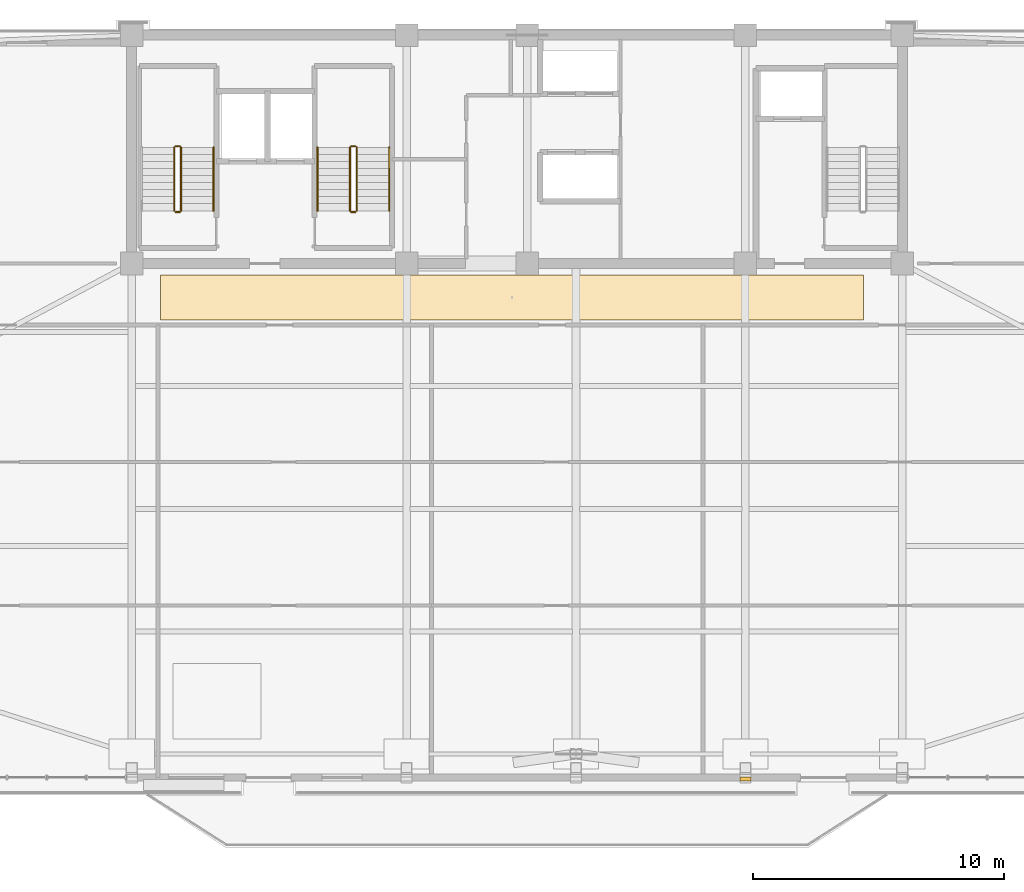
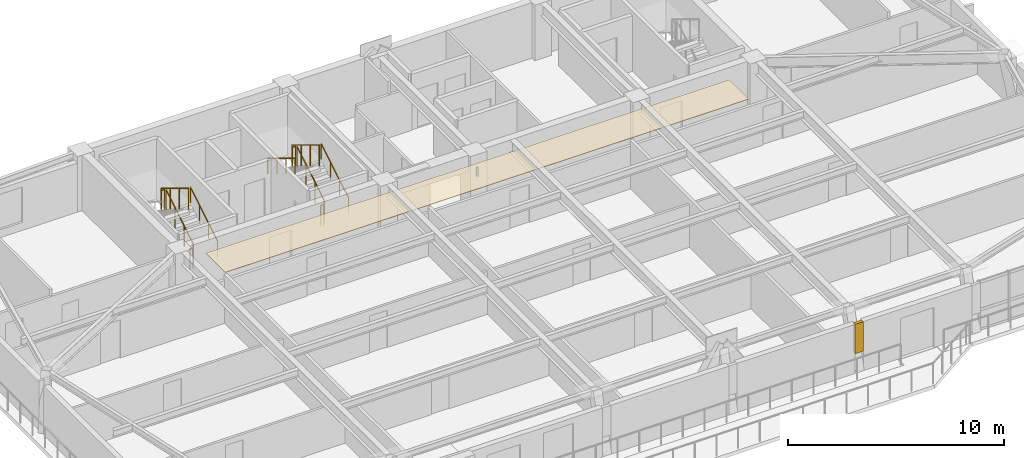
# One storey, part 13 of 15: 11 railings, 2 coverings.
"""IFC4 building model written with IfcOpenShell, lengths in metres."""

from ifc_helpers import new_model, si_unit, direction, frame, origin, origin_2d, place, context, subcontext, project, spatial, polyline, rectangle, outline, extrude, material, layer, layer_set, type_object, element, save


model = new_model("IFC4")

# Units and contexts
model_context = context("Model", 3, precision=1e-05, world=origin(), true_north=direction((0.0, 1.0)))
body_context = subcontext(model_context, "Body", "Model", "MODEL_VIEW")
ifc_project = project(units=[si_unit("LENGTHUNIT", "METRE"), si_unit("AREAUNIT", "SQUARE_METRE"), si_unit("VOLUMEUNIT", "CUBIC_METRE"), si_unit("PLANEANGLEUNIT", "RADIAN"), si_unit("MASSUNIT", "GRAM", prefix="KILO")], contexts=[model_context])

# Site, building, storey
site_placement = place(None, origin())
site = spatial("IfcSite", under=ifc_project, at=site_placement, CompositionType="ELEMENT")
building_placement = place(site_placement, origin())
building = spatial("IfcBuilding", under=site, at=building_placement, Name="Giltprow Tower", CompositionType="ELEMENT")
storey_placement = place(building_placement, frame((0.0, 0.0, 275.699951171875)))
storey = spatial("IfcBuildingStorey", under=building, at=storey_placement, Name="L71", CompositionType="ELEMENT", Elevation=275.699951171875)

# Coverings
ifc_material_1 = material(Name="Painted gypsum board", Category="gypsum")
ifc_layer_1 = layer(ifc_material_1, 0.030029296875, Name="Painted gypsum board")
ifc_layer_set_1 = layer_set([ifc_layer_1], Name="Painted gypsum board")
covering_type_1 = type_object("IfcCoveringType", Name="COV-CLG-GYPSUM", PredefinedType="CEILING", material=ifc_layer_set_1)
covering_1_placement = place(storey_placement, frame((0.0, 0.0, 2.6201171875)))
element("IfcCovering", 1, at=covering_1_placement, inside=storey, type_object=covering_type_1, Name="L71 Residence Gallery Ceiling", PredefinedType="CEILING", context=body_context, shape_type="SweptSolid", body=[
    extrude(outline(polyline([(21.0, 35.199951171875), (49.0, 35.199951171875), (49.0, 37.0), (21.0, 37.0), (21.0, 35.199951171875)])), origin(), (0.0, 0.0, 1.0), 0.030029296875),
])
ifc_material_2 = material(Name="Anodized bronze", Category="metal")
ifc_layer_2 = layer(ifc_material_2, 0.0400390625, Name="Anodized bronze")
ifc_layer_set_2 = layer_set([ifc_layer_2], Name="Anodized bronze")
covering_type_2 = type_object("IfcCoveringType", Name="COV-SOFFIT-BRONZE", PredefinedType="CLADDING", material=ifc_layer_set_2)
covering_2_placement = place(storey_placement, frame((0.0, 0.0, 1.10009765625)))
element("IfcCovering", 2, at=covering_2_placement, inside=storey, type_object=covering_type_2, Name="L71 Setback Pier Closure Cladding S-4", PredefinedType="CLADDING", context=body_context, shape_type="SweptSolid", body=[
    extrude(outline(polyline([(44.074951171875, 16.8359375), (44.52490234375, 16.8359375), (44.52490234375, 16.99609375), (44.074951171875, 16.99609375), (44.074951171875, 16.8359375)])), origin(), (0.0, 0.0, 1.0), 1.669921875),
])

# Railings
railing_type_1 = type_object("IfcRailingType", Name="RAIL-STAIR-GUARD-1200", PredefinedType="GUARDRAIL", material=ifc_material_2)
railing_1_placement = place(storey_placement, frame((21.81005859375, 39.550048828125, 0.170166015625)))
element("IfcRailing", 3, at=railing_1_placement, inside=storey, type_object=railing_type_1, Name="L71 ST-1 stair guard 1", PredefinedType="GUARDRAIL", context=body_context, shape_type="SweptSolid", body=[
    extrude(rectangle(XDim=0.048095703125, YDim=0.048095703125, at=origin_2d()), frame((0.0, 0.0, 1.17578125), z_axis=(0.0, 0.854821627497, 0.518921945155), x_axis=(-1.0, 0.0, 0.0)), (0.0, 0.0, 1.0), 2.947998046875),
    extrude(rectangle(XDim=0.0419921875, YDim=0.0419921875, at=origin_2d()), origin(), (0.0, 0.0, 1.0), 1.15185546875),
    extrude(rectangle(XDim=0.0419921875, YDim=0.0419921875, at=origin_2d()), frame((0.0, 0.840087890625, 0.510009765625)), (0.0, 0.0, 1.0), 1.15185546875),
    extrude(rectangle(XDim=0.0419921875, YDim=0.0419921875, at=origin_2d()), frame((0.0, 1.679931640625, 1.019775390625)), (0.0, 0.0, 1.0), 1.15185546875),
    extrude(rectangle(XDim=0.0419921875, YDim=0.0419921875, at=origin_2d()), frame((0.0, 2.52001953125, 1.52978515625)), (0.0, 0.0, 1.0), 1.15185546875),
])
railing_2_placement = place(storey_placement, frame((21.760009765625, 42.1201171875, 1.699951171875)))
element("IfcRailing", 4, at=railing_2_placement, inside=storey, type_object=railing_type_1, Name="L71 ST-1 stair guard 2", PredefinedType="GUARDRAIL", context=body_context, shape_type="SweptSolid", body=[
    extrude(rectangle(XDim=0.048095703125, YDim=0.048095703125, at=origin_2d()), frame((0.0, 0.0, 1.17578125), z_axis=(-1.0, 0.0, 0.0), x_axis=(0.0, -1.0, 0.0)), (0.0, 0.0, 1.0), 0.159912109375),
    extrude(rectangle(XDim=0.0419921875, YDim=0.0419921875, at=origin_2d()), origin(), (0.0, 0.0, 1.0), 1.15185546875),
    extrude(rectangle(XDim=0.0419921875, YDim=0.0419921875, at=origin_2d()), frame((-0.159912109375, 0.0, 0.0)), (0.0, 0.0, 1.0), 1.15185546875),
])
railing_3_placement = place(storey_placement, frame((21.550048828125, 42.070068359375, 1.8701171875)))
element("IfcRailing", 5, at=railing_3_placement, inside=storey, type_object=railing_type_1, Name="L71 ST-1 stair guard 3", PredefinedType="GUARDRAIL", context=body_context, shape_type="SweptSolid", body=[
    extrude(rectangle(XDim=0.048095703125, YDim=0.048095703125, at=origin_2d()), frame((0.0, 0.0, 1.17578125), z_axis=(0.0, -0.85478489116, 0.518982456201), x_axis=(1.0, 0.0, 0.0)), (0.0, 0.0, 1.0), 2.9482421875),
    extrude(rectangle(XDim=0.0419921875, YDim=0.0419921875, at=origin_2d()), origin(), (0.0, 0.0, 1.0), 1.15185546875),
    extrude(rectangle(XDim=0.0419921875, YDim=0.0419921875, at=origin_2d()), frame((0.0, -0.840087890625, 0.510009765625)), (0.0, 0.0, 1.0), 1.15185546875),
    extrude(rectangle(XDim=0.0419921875, YDim=0.0419921875, at=origin_2d()), frame((0.0, -1.679931640625, 1.02001953125)), (0.0, 0.0, 1.0), 1.15185546875),
    extrude(rectangle(XDim=0.0419921875, YDim=0.0419921875, at=origin_2d()), frame((0.0, -2.52001953125, 1.530029296875)), (0.0, 0.0, 1.0), 1.15185546875),
])
railing_4_placement = place(storey_placement, frame((21.760009765625, 39.5, 0.0)))
element("IfcRailing", 6, at=railing_4_placement, inside=storey, type_object=railing_type_1, Name="L71 ST-1 stair guard 4", PredefinedType="GUARDRAIL", context=body_context, shape_type="SweptSolid", body=[
    extrude(rectangle(XDim=0.048095703125, YDim=0.048095703125, at=origin_2d()), frame((0.0, 0.0, 1.17578125), z_axis=(-1.0, 0.0, 0.0), x_axis=(0.0, -1.0, 0.0)), (0.0, 0.0, 1.0), 0.159912109375),
    extrude(rectangle(XDim=0.0419921875, YDim=0.0419921875, at=origin_2d()), origin(), (0.0, 0.0, 1.0), 1.15185546875),
    extrude(rectangle(XDim=0.0419921875, YDim=0.0419921875, at=origin_2d()), frame((-0.159912109375, 0.0, 0.0)), (0.0, 0.0, 1.0), 1.15185546875),
])
railing_5_placement = place(storey_placement, frame((28.81005859375, 39.550048828125, 0.170166015625)))
element("IfcRailing", 7, at=railing_5_placement, inside=storey, type_object=railing_type_1, Name="L71 ST-2 stair guard 1", PredefinedType="GUARDRAIL", context=body_context, shape_type="SweptSolid", body=[
    extrude(rectangle(XDim=0.048095703125, YDim=0.048095703125, at=origin_2d()), frame((0.0, 0.0, 1.17578125), z_axis=(0.0, 0.854821627497, 0.518921945155), x_axis=(-1.0, 0.0, 0.0)), (0.0, 0.0, 1.0), 2.947998046875),
    extrude(rectangle(XDim=0.0419921875, YDim=0.0419921875, at=origin_2d()), origin(), (0.0, 0.0, 1.0), 1.15185546875),
    extrude(rectangle(XDim=0.0419921875, YDim=0.0419921875, at=origin_2d()), frame((0.0, 0.840087890625, 0.510009765625)), (0.0, 0.0, 1.0), 1.15185546875),
    extrude(rectangle(XDim=0.0419921875, YDim=0.0419921875, at=origin_2d()), frame((0.0, 1.679931640625, 1.019775390625)), (0.0, 0.0, 1.0), 1.15185546875),
    extrude(rectangle(XDim=0.0419921875, YDim=0.0419921875, at=origin_2d()), frame((0.0, 2.52001953125, 1.52978515625)), (0.0, 0.0, 1.0), 1.15185546875),
])
railing_6_placement = place(storey_placement, frame((28.760009765625, 42.1201171875, 1.699951171875)))
element("IfcRailing", 8, at=railing_6_placement, inside=storey, type_object=railing_type_1, Name="L71 ST-2 stair guard 2", PredefinedType="GUARDRAIL", context=body_context, shape_type="SweptSolid", body=[
    extrude(rectangle(XDim=0.048095703125, YDim=0.048095703125, at=origin_2d()), frame((0.0, 0.0, 1.17578125), z_axis=(-1.0, 0.0, 0.0), x_axis=(0.0, -1.0, 0.0)), (0.0, 0.0, 1.0), 0.159912109375),
    extrude(rectangle(XDim=0.0419921875, YDim=0.0419921875, at=origin_2d()), origin(), (0.0, 0.0, 1.0), 1.15185546875),
    extrude(rectangle(XDim=0.0419921875, YDim=0.0419921875, at=origin_2d()), frame((-0.159912109375, 0.0, 0.0)), (0.0, 0.0, 1.0), 1.15185546875),
])
railing_7_placement = place(storey_placement, frame((28.550048828125, 42.070068359375, 1.8701171875)))
element("IfcRailing", 9, at=railing_7_placement, inside=storey, type_object=railing_type_1, Name="L71 ST-2 stair guard 3", PredefinedType="GUARDRAIL", context=body_context, shape_type="SweptSolid", body=[
    extrude(rectangle(XDim=0.048095703125, YDim=0.048095703125, at=origin_2d()), frame((0.0, 0.0, 1.17578125), z_axis=(0.0, -0.85478489116, 0.518982456201), x_axis=(1.0, 0.0, 0.0)), (0.0, 0.0, 1.0), 2.9482421875),
    extrude(rectangle(XDim=0.0419921875, YDim=0.0419921875, at=origin_2d()), origin(), (0.0, 0.0, 1.0), 1.15185546875),
    extrude(rectangle(XDim=0.0419921875, YDim=0.0419921875, at=origin_2d()), frame((0.0, -0.840087890625, 0.510009765625)), (0.0, 0.0, 1.0), 1.15185546875),
    extrude(rectangle(XDim=0.0419921875, YDim=0.0419921875, at=origin_2d()), frame((0.0, -1.679931640625, 1.02001953125)), (0.0, 0.0, 1.0), 1.15185546875),
    extrude(rectangle(XDim=0.0419921875, YDim=0.0419921875, at=origin_2d()), frame((0.0, -2.52001953125, 1.530029296875)), (0.0, 0.0, 1.0), 1.15185546875),
])
railing_8_placement = place(storey_placement, frame((28.760009765625, 39.5, 0.0)))
element("IfcRailing", 10, at=railing_8_placement, inside=storey, type_object=railing_type_1, Name="L71 ST-2 stair guard 4", PredefinedType="GUARDRAIL", context=body_context, shape_type="SweptSolid", body=[
    extrude(rectangle(XDim=0.048095703125, YDim=0.048095703125, at=origin_2d()), frame((0.0, 0.0, 1.17578125), z_axis=(-1.0, 0.0, 0.0), x_axis=(0.0, -1.0, 0.0)), (0.0, 0.0, 1.0), 0.159912109375),
    extrude(rectangle(XDim=0.0419921875, YDim=0.0419921875, at=origin_2d()), origin(), (0.0, 0.0, 1.0), 1.15185546875),
    extrude(rectangle(XDim=0.0419921875, YDim=0.0419921875, at=origin_2d()), frame((-0.159912109375, 0.0, 0.0)), (0.0, 0.0, 1.0), 1.15185546875),
])
railing_type_2 = type_object("IfcRailingType", Name="RAIL-STAIR-HAND-900", PredefinedType="HANDRAIL", material=ifc_material_2)
for number, where, name in (
    (11, (23.110107421875, 39.550048828125, 0.170166015625), "L71 ST-1 stair handrail 1"),
    (12, (30.110107421875, 39.550048828125, 0.170166015625), "L71 ST-2 stair handrail 1"),
):
    element("IfcRailing", number, at=place(storey_placement, frame(where)), inside=storey, type_object=railing_type_2, Name=name, PredefinedType="HANDRAIL", context=body_context, shape_type="SweptSolid", body=[
        extrude(rectangle(XDim=0.048095703125, YDim=0.048095703125, at=origin_2d()), frame((0.0, 0.0, 0.8759765625), z_axis=(0.0, 0.854821627497, 0.518921945155), x_axis=(-1.0, 0.0, 0.0)), (0.0, 0.0, 1.0), 2.947998046875),
        extrude(rectangle(XDim=0.0419921875, YDim=0.0419921875, at=origin_2d()), origin(), (0.0, 0.0, 1.0), 0.851806640625),
        extrude(rectangle(XDim=0.0419921875, YDim=0.0419921875, at=origin_2d()), frame((0.0, 0.840087890625, 0.510009765625)), (0.0, 0.0, 1.0), 0.851806640625),
        extrude(rectangle(XDim=0.0419921875, YDim=0.0419921875, at=origin_2d()), frame((0.0, 1.679931640625, 1.019775390625)), (0.0, 0.0, 1.0), 0.851806640625),
        extrude(rectangle(XDim=0.0419921875, YDim=0.0419921875, at=origin_2d()), frame((0.0, 2.52001953125, 1.52978515625)), (0.0, 0.0, 1.0), 0.851806640625),
    ])
railing_9_placement = place(storey_placement, frame((27.25, 42.070068359375, 1.8701171875)))
element("IfcRailing", 13, at=railing_9_placement, inside=storey, type_object=railing_type_2, Name="L71 ST-2 stair handrail 2", PredefinedType="HANDRAIL", context=body_context, shape_type="SweptSolid", body=[
    extrude(rectangle(XDim=0.048095703125, YDim=0.048095703125, at=origin_2d()), frame((0.0, 0.0, 0.8759765625), z_axis=(0.0, -0.85478489116, 0.518982456201), x_axis=(1.0, 0.0, 0.0)), (0.0, 0.0, 1.0), 2.9482421875),
    extrude(rectangle(XDim=0.0419921875, YDim=0.0419921875, at=origin_2d()), origin(), (0.0, 0.0, 1.0), 0.851806640625),
    extrude(rectangle(XDim=0.0419921875, YDim=0.0419921875, at=origin_2d()), frame((0.0, -0.840087890625, 0.510009765625)), (0.0, 0.0, 1.0), 0.851806640625),
    extrude(rectangle(XDim=0.0419921875, YDim=0.0419921875, at=origin_2d()), frame((0.0, -1.679931640625, 1.02001953125)), (0.0, 0.0, 1.0), 0.851806640625),
    extrude(rectangle(XDim=0.0419921875, YDim=0.0419921875, at=origin_2d()), frame((0.0, -2.52001953125, 1.530029296875)), (0.0, 0.0, 1.0), 0.851806640625),
])

save(model, "model.ifc")
